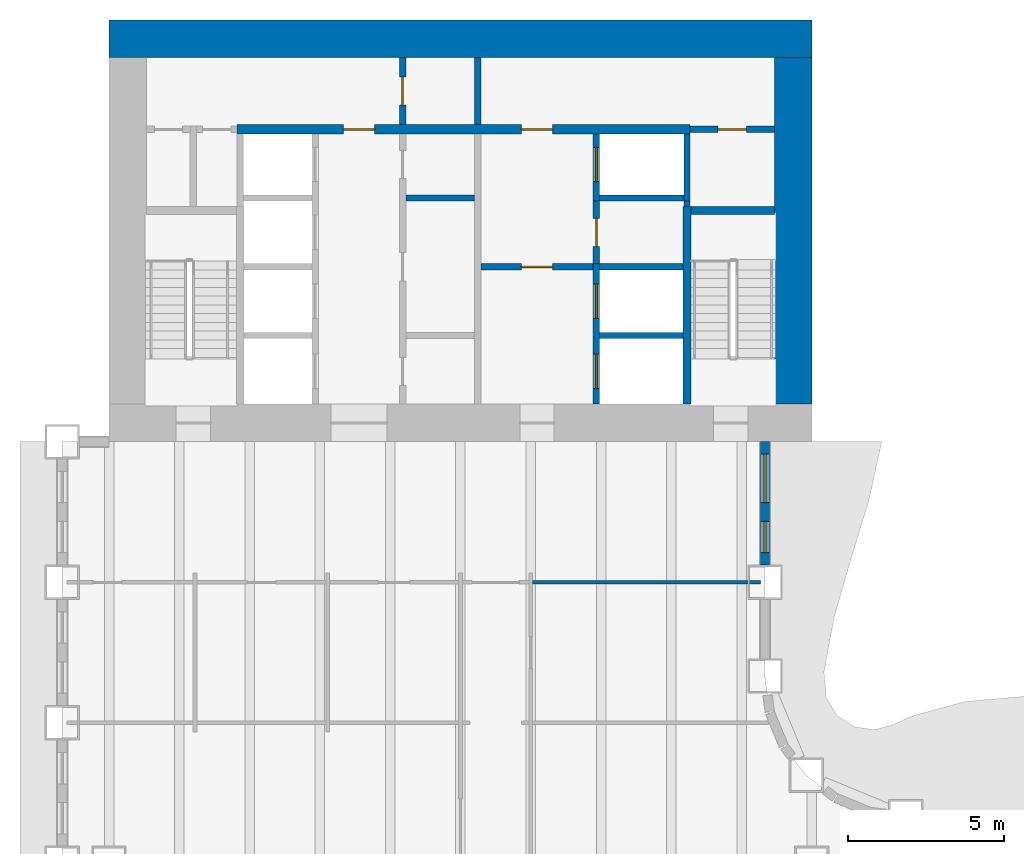
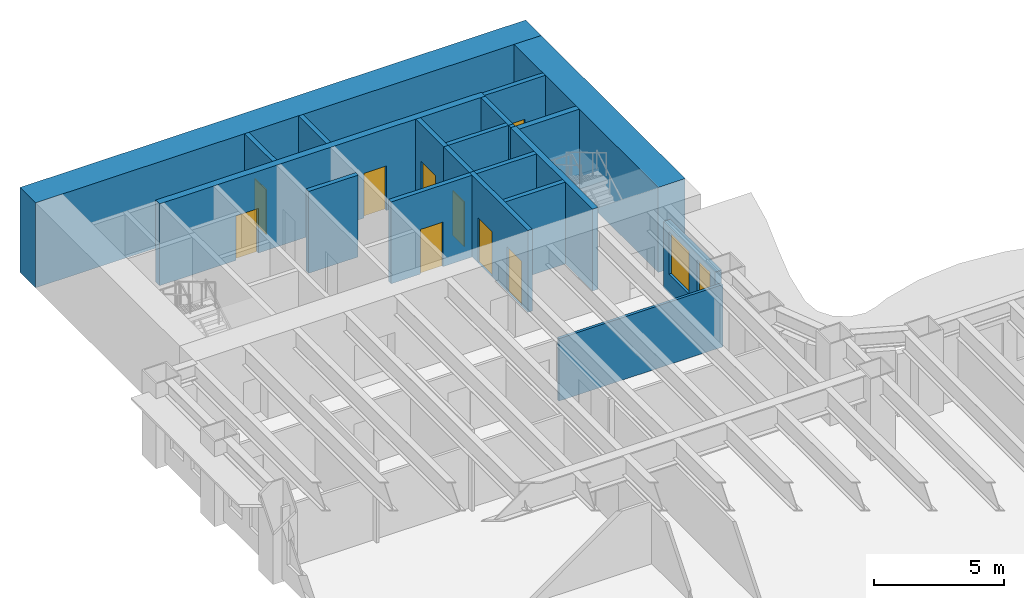
# One storey, part 9 of 17: 20 walls, 9 doors, 2 windows, 11 openings.
"""IFC4 building model written with IfcOpenShell, lengths in metres."""

from ifc_helpers import new_model, si_unit, direction, frame, frame_2d, origin, place, context, subcontext, project, spatial, rectangle, extrude, material, layer, layer_set, type_object, element, fill, save


model = new_model("IFC4")

# Units and contexts
model_context = context("Model", 3, precision=1e-05, world=origin(), true_north=direction((0.0, 1.0)))
body_context = subcontext(model_context, "Body", "Model", "MODEL_VIEW")
ifc_project = project(units=[si_unit("LENGTHUNIT", "METRE"), si_unit("AREAUNIT", "SQUARE_METRE"), si_unit("VOLUMEUNIT", "CUBIC_METRE"), si_unit("PLANEANGLEUNIT", "RADIAN"), si_unit("MASSUNIT", "GRAM", prefix="KILO")], contexts=[model_context])

# Site, building, storey
site_placement = place(None, origin())
site = spatial("IfcSite", under=ifc_project, at=site_placement, CompositionType="ELEMENT")
building_placement = place(site_placement, origin())
building = spatial("IfcBuilding", under=site, at=building_placement, Name="Sennacour Bend Tower", CompositionType="ELEMENT")
storey_placement = place(building_placement, frame((0.0, 0.0, 49.0)))
storey = spatial("IfcBuildingStorey", under=building, at=storey_placement, Name="L10", CompositionType="ELEMENT", Elevation=49.0)

# Walls
ifc_material_1 = material(Name="Concrete C80/95", Category="concrete")
ifc_layer_1 = layer(ifc_material_1, 1.199951171875, Name="Concrete C80/95", Category="concrete")
ifc_layer_set_1 = layer_set([ifc_layer_1], Name="Concrete C80/95")
wall_type_1 = type_object("IfcWallType", Name="Core wall 1200 C80/95", PredefinedType="SHEAR", material=ifc_layer_set_1)
wall_1_placement = place(storey_placement, frame((0.0, 48.89990234375, -0.14990234375), z_axis=(0.0, 0.0, 1.0), x_axis=(1.0, 0.0, 0.0)))
element("IfcWall", 1, at=wall_1_placement, inside=storey, type_object=wall_type_1, Name="Core B wall L10 N", PredefinedType="SHEAR", context=body_context, shape_type="SweptSolid", body=[
    extrude(rectangle(XDim=22.5, YDim=1.199951171875, at=frame_2d((11.25, 0.0))), origin(), (0.0, 0.0, 1.0), 4.0),
])
wall_2_placement = place(storey_placement, frame((21.89990234375, 37.199951171875, -0.14990234375), z_axis=(0.0, 0.0, 1.0), x_axis=(0.0, 1.0, 0.0)))
element("IfcWall", 2, at=wall_2_placement, inside=storey, type_object=wall_type_1, Name="Core B wall L10 E", PredefinedType="SHEAR", context=body_context, shape_type="SweptSolid", body=[
    extrude(rectangle(XDim=11.10009765625, YDim=1.199951171875, at=frame_2d((5.550048828125, 0.0))), origin(), (0.0, 0.0, 1.0), 4.0),
])
ifc_material_2 = material(Name="Plasterboard partition on steel studs", Category="steel")
ifc_layer_2 = layer(ifc_material_2, 0.1201171875, Name="Plasterboard partition on steel studs", Category="steel")
ifc_layer_set_2 = layer_set([ifc_layer_2], Name="Plasterboard partition on steel studs")
wall_type_2 = type_object("IfcWallType", Name="Partition 120", PredefinedType="PARTITIONING", material=ifc_layer_set_2)
wall_3_placement = place(storey_placement, frame((13.56005859375, 31.5, 0.0), z_axis=(0.0, 0.0, 1.0), x_axis=(1.0, 0.0, 0.0)))
element("IfcWall", 3, at=wall_3_placement, inside=storey, type_object=wall_type_2, Name="P-L10-W077ae", PredefinedType="PARTITIONING", context=body_context, shape_type="SweptSolid", body=[
    extrude(rectangle(XDim=7.2900390625, YDim=0.1201171875, at=frame_2d((3.64501953125, 0.0))), origin(), (0.0, 0.0, 1.0), 2.93798828125),
])

# Wall, opening, door
ifc_material_3 = material(Name="Fire-rated plasterboard partition on steel studs", Category="steel")
ifc_layer_3 = layer(ifc_material_3, 0.199951171875, Name="Fire-rated plasterboard partition on steel studs", Category="steel")
ifc_layer_set_3 = layer_set([ifc_layer_3], Name="Fire-rated plasterboard partition on steel studs")
wall_type_3 = type_object("IfcWallType", Name="Rated partition 200", PredefinedType="PARTITIONING", material=ifc_layer_set_3)
wall_4_placement = place(storey_placement, frame((9.39990234375, 46.14990234375, 0.0), z_axis=(0.0, 0.0, 1.0), x_axis=(0.0, 1.0, 0.0)))
wall_4 = element("IfcWall", 4, at=wall_4_placement, inside=storey, type_object=wall_type_3, Name="P-L10-W013b", PredefinedType="PARTITIONING", context=body_context, shape_type="SweptSolid", body=[
    extrude(rectangle(XDim=2.150146484375, YDim=0.199951171875, at=frame_2d((1.0751953125, 0.0))), origin(), (0.0, 0.0, 1.0), 3.85009765625),
])
opening_1_placement = place(wall_4_placement, frame((0.625, 0.0, 0.0)))
opening_1 = element("IfcOpeningElement", 5, at=opening_1_placement, cuts=wall_4, Name="Opening SV", PredefinedType="OPENING", context=body_context, shape_type="SweptSolid", body=[
    extrude(rectangle(XDim=0.89990234375, YDim=2.10009765625, at=frame_2d((0.449951171875, 1.050048828125))), frame((0.0, 0.10986328125, 0.0), z_axis=(0.0, -1.0, 0.0), x_axis=(1.0, 0.0, 0.0)), (0.0, 0.0, 1.0), 0.219970703125),
])
ifc_material_4 = material(Name="Painted steel", Category="steel")
door_type_1 = type_object("IfcDoorType", Name="DR-SERVICE-900", OperationType="NOTDEFINED", PredefinedType="DOOR", material=ifc_material_4)
door_1_placement = place(opening_1_placement, origin())
door_1 = element("IfcDoor", 6, at=door_1_placement, inside=storey, type_object=door_type_1, Name="Door", OperationType="SINGLE_SWING_LEFT", OverallHeight=2.10009765625, OverallWidth=0.89990234375, PredefinedType="DOOR", context=body_context, shape_type="SweptSolid", body=[
    extrude(rectangle(XDim=0.89990234375, YDim=2.10009765625, at=frame_2d((0.449951171875, 1.050048828125))), frame((0.0, 0.02490234375, 0.0), z_axis=(0.0, -1.0, 0.0), x_axis=(1.0, 0.0, 0.0)), (0.0, 0.0, 1.0), 0.050048828125),
])
fill(opening_1, door_1)

# Wall
wall_5_placement = place(storey_placement, frame((11.800048828125, 46.14990234375, 0.0), z_axis=(0.0, 0.0, 1.0), x_axis=(0.0, 1.0, 0.0)))
element("IfcWall", 7, at=wall_5_placement, inside=storey, type_object=wall_type_3, Name="P-L10-W015b", PredefinedType="PARTITIONING", context=body_context, shape_type="SweptSolid", body=[
    extrude(rectangle(XDim=2.150146484375, YDim=0.199951171875, at=frame_2d((1.0751953125, 0.0))), origin(), (0.0, 0.0, 1.0), 3.85009765625),
])

# Wall, opening, door
wall_6_placement = place(storey_placement, frame((15.60009765625, 41.699951171875, 0.0), z_axis=(0.0, 0.0, 1.0), x_axis=(0.0, 1.0, 0.0)))
wall_6 = element("IfcWall", 8, at=wall_6_placement, inside=storey, type_object=wall_type_3, Name="P-L10-W019", PredefinedType="PARTITIONING", context=body_context, shape_type="SweptSolid", body=[
    extrude(rectangle(XDim=2.0, YDim=0.199951171875, at=frame_2d((1.0, 0.0))), origin(), (0.0, 0.0, 1.0), 3.85009765625),
])
opening_2_placement = place(wall_6_placement, frame((0.550048828125, 0.0, 0.0)))
opening_2 = element("IfcOpeningElement", 9, at=opening_2_placement, cuts=wall_6, Name="Opening SV", PredefinedType="OPENING", context=body_context, shape_type="SweptSolid", body=[
    extrude(rectangle(XDim=0.89990234375, YDim=2.10009765625, at=frame_2d((0.449951171875, 1.050048828125))), frame((0.0, 0.10986328125, 0.0), z_axis=(0.0, -1.0, 0.0), x_axis=(1.0, 0.0, 0.0)), (0.0, 0.0, 1.0), 0.219970703125),
])
door_2_placement = place(opening_2_placement, origin())
door_2 = element("IfcDoor", 10, at=door_2_placement, inside=storey, type_object=door_type_1, Name="Door", OperationType="SINGLE_SWING_RIGHT", OverallHeight=2.10009765625, OverallWidth=0.89990234375, PredefinedType="DOOR", context=body_context, shape_type="SweptSolid", body=[
    extrude(rectangle(XDim=0.89990234375, YDim=2.10009765625, at=frame_2d((0.449951171875, 1.050048828125))), frame((0.0, 0.02490234375, 0.0), z_axis=(0.0, -1.0, 0.0), x_axis=(1.0, 0.0, 0.0)), (0.0, 0.0, 1.0), 0.050048828125),
])
fill(opening_2, door_2)

# Walls
wall_7_placement = place(storey_placement, frame((18.5, 43.52490234375, 0.0), z_axis=(0.0, 0.0, 1.0), x_axis=(0.0, 1.0, 0.0)))
element("IfcWall", 11, at=wall_7_placement, inside=storey, type_object=wall_type_3, Name="P-L10-W023", PredefinedType="PARTITIONING", context=body_context, shape_type="SweptSolid", body=[
    extrude(rectangle(XDim=0.175048828125, YDim=0.199951171875, at=frame_2d((0.08740234375, 0.0))), origin(), (0.0, 0.0, 1.0), 3.85009765625),
])
wall_8_placement = place(storey_placement, frame((9.5, 43.800048828125, 0.0), z_axis=(0.0, 0.0, 1.0), x_axis=(1.0, 0.0, 0.0)))
element("IfcWall", 12, at=wall_8_placement, inside=storey, type_object=wall_type_3, Name="P-L10-W088", PredefinedType="PARTITIONING", context=body_context, shape_type="SweptSolid", body=[
    extrude(rectangle(XDim=2.199951171875, YDim=0.199951171875, at=frame_2d((1.10009765625, 0.0))), origin(), (0.0, 0.0, 1.0), 3.85009765625),
])

# Wall, opening, door
wall_9_placement = place(storey_placement, frame((18.60009765625, 46.0, 0.0), z_axis=(0.0, 0.0, 1.0), x_axis=(1.0, 0.0, 0.0)))
wall_9 = element("IfcWall", 13, at=wall_9_placement, inside=storey, type_object=wall_type_3, Name="P-L10-W092", PredefinedType="PARTITIONING", context=body_context, shape_type="SweptSolid", body=[
    extrude(rectangle(XDim=2.699951171875, YDim=0.199951171875, at=frame_2d((1.35009765625, 0.0))), origin(), (0.0, 0.0, 1.0), 3.85009765625),
])
opening_3_placement = place(wall_9_placement, frame((0.89990234375, 0.0, 0.0)))
opening_3 = element("IfcOpeningElement", 14, at=opening_3_placement, cuts=wall_9, Name="Opening WD", PredefinedType="OPENING", context=body_context, shape_type="SweptSolid", body=[
    extrude(rectangle(XDim=0.89990234375, YDim=2.10009765625, at=frame_2d((0.449951171875, 1.050048828125))), frame((0.0, 0.10986328125, 0.0), z_axis=(0.0, -1.0, 0.0), x_axis=(1.0, 0.0, 0.0)), (0.0, 0.0, 1.0), 0.219970703125),
])
ifc_material_5 = material(Name="Timber", Category="wood")
door_type_2 = type_object("IfcDoorType", Name="DR-WC-900", OperationType="NOTDEFINED", PredefinedType="DOOR", material=ifc_material_5)
door_3_placement = place(opening_3_placement, origin())
door_3 = element("IfcDoor", 15, at=door_3_placement, inside=storey, type_object=door_type_2, Name="Door", OperationType="SINGLE_SWING_LEFT", OverallHeight=2.10009765625, OverallWidth=0.89990234375, PredefinedType="DOOR", context=body_context, shape_type="SweptSolid", body=[
    extrude(rectangle(XDim=0.89990234375, YDim=2.10009765625, at=frame_2d((0.449951171875, 1.050048828125))), frame((0.0, 0.02490234375, 0.0), z_axis=(0.0, -1.0, 0.0), x_axis=(1.0, 0.0, 0.0)), (0.0, 0.0, 1.0), 0.050048828125),
])
fill(opening_3, door_3)

ifc_layer_4 = layer(ifc_material_3, 0.199951171875, Name="Fire-rated plasterboard partition on steel studs", Category="steel")
ifc_layer_set_4 = layer_set([ifc_layer_4], Name="Fire-rated plasterboard partition on steel studs")
wall_type_4 = type_object("IfcWallType", Name="Rated partition 200 EI 90", PredefinedType="PARTITIONING", material=ifc_layer_set_4)
wall_10_placement = place(storey_placement, frame((11.89990234375, 41.60009765625, 0.0), z_axis=(0.0, 0.0, 1.0), x_axis=(1.0, 0.0, 0.0)))
wall_10 = element("IfcWall", 16, at=wall_10_placement, inside=storey, type_object=wall_type_4, Name="P-L10-W083", PredefinedType="PARTITIONING", context=body_context, shape_type="SweptSolid", body=[
    extrude(rectangle(XDim=3.60009765625, YDim=0.199951171875, at=frame_2d((1.800048828125, 0.0))), origin(), (0.0, 0.0, 1.0), 3.85009765625),
])
opening_4_placement = place(wall_10_placement, frame((1.300048828125, 0.0, 0.0)))
opening_4 = element("IfcOpeningElement", 17, at=opening_4_placement, cuts=wall_10, Name="Opening FD2", PredefinedType="OPENING", context=body_context, shape_type="SweptSolid", body=[
    extrude(rectangle(XDim=1.0, YDim=2.10009765625, at=frame_2d((0.5, 1.050048828125))), frame((0.0, 0.10986328125, 0.0), z_axis=(0.0, -1.0, 0.0), x_axis=(1.0, 0.0, 0.0)), (0.0, 0.0, 1.0), 0.219970703125),
])
door_type_3 = type_object("IfcDoorType", Name="DR-FFL-1000", OperationType="NOTDEFINED", PredefinedType="DOOR", material=ifc_material_4)
door_4_placement = place(opening_4_placement, origin())
door_4 = element("IfcDoor", 18, at=door_4_placement, inside=storey, type_object=door_type_3, Name="Door", OperationType="SINGLE_SWING_LEFT", OverallHeight=2.10009765625, OverallWidth=1.0, PredefinedType="DOOR", context=body_context, shape_type="SweptSolid", body=[
    extrude(rectangle(XDim=1.0, YDim=2.10009765625, at=frame_2d((0.5, 1.050048828125))), frame((0.0, 0.02490234375, 0.0), z_axis=(0.0, -1.0, 0.0), x_axis=(1.0, 0.0, 0.0)), (0.0, 0.0, 1.0), 0.050048828125),
])
fill(opening_4, door_4)

# Wall, openings, windows
ifc_material_6 = material(Name="Warm limestone cladding", Category="masonry")
ifc_layer_5 = layer(ifc_material_6, 0.050048828125, Name="Warm limestone cladding", Category="masonry")
ifc_material_7 = material(Name="Precast concrete C40/50", Category="concrete")
ifc_layer_6 = layer(ifc_material_7, 0.25, Name="Precast concrete C40/50", Category="concrete")
ifc_layer_set_5 = layer_set([ifc_layer_5, ifc_layer_6], Name="Precast concrete C40/50 with limestone cladding")
wall_type_5 = type_object("IfcWallType", Name="STONE-CLAD PRECAST SPANDREL 300", PredefinedType="STANDARD", material=ifc_layer_set_5)
wall_11_placement = place(storey_placement, frame((21.0, 32.050048828125, 0.0), z_axis=(0.0, 0.0, 1.0), x_axis=(0.0, 1.0, 0.0)))
wall_11 = element("IfcWall", 19, at=wall_11_placement, inside=storey, type_object=wall_type_5, Name="Stone spandrel and pier wall L10 15.01", PredefinedType="STANDARD", context=body_context, shape_type="SweptSolid", body=[
    extrude(rectangle(XDim=3.949951171875, YDim=0.300048828125, at=frame_2d((1.97509765625, 0.0))), origin(), (0.0, 0.0, 1.0), 3.14404296875),
])
opening_5_placement = place(wall_11_placement, frame((0.39990234375, 0.0, 0.89990234375)))
opening_5 = element("IfcOpeningElement", 20, at=opening_5_placement, cuts=wall_11, Name="Opening W8", PredefinedType="OPENING", context=body_context, shape_type="SweptSolid", body=[
    extrude(rectangle(XDim=1.0, YDim=2.0, at=frame_2d((0.5, 1.0))), frame((0.0, 0.16015625, 0.0), z_axis=(0.0, -1.0, 0.0), x_axis=(1.0, 0.0, 0.0)), (0.0, 0.0, 1.0), 0.320068359375),
])
opening_6_placement = place(wall_11_placement, frame((2.0, 0.0, 0.89990234375)))
opening_6 = element("IfcOpeningElement", 21, at=opening_6_placement, cuts=wall_11, Name="Opening W9", PredefinedType="OPENING", context=body_context, shape_type="SweptSolid", body=[
    extrude(rectangle(XDim=1.550048828125, YDim=2.0, at=frame_2d((0.77490234375, 1.0))), frame((0.0, 0.16015625, 0.0), z_axis=(0.0, -1.0, 0.0), x_axis=(1.0, 0.0, 0.0)), (0.0, 0.0, 1.0), 0.320068359375),
])
ifc_material_8 = material(Name="Clear low-emissivity glass", Category="glass")
window_type_1 = type_object("IfcWindowType", Name="WIN-RIBBON-1000x2000", PartitioningType="SINGLE_PANEL", PredefinedType="WINDOW", material=ifc_material_8)
window_1_placement = place(opening_5_placement, origin())
window_1 = element("IfcWindow", 22, at=window_1_placement, inside=storey, type_object=window_type_1, Name="Ribbon window L10 15.01.0", OverallHeight=2.0, OverallWidth=1.0, PartitioningType="SINGLE_PANEL", PredefinedType="WINDOW", context=body_context, shape_type="SweptSolid", body=[
    extrude(rectangle(XDim=1.0, YDim=2.0, at=frame_2d((0.5, 1.0))), frame((0.0, 0.030029296875, 0.0), z_axis=(0.0, -1.0, 0.0), x_axis=(1.0, 0.0, 0.0)), (0.0, 0.0, 1.0), 0.06005859375),
])
fill(opening_5, window_1)
window_type_2 = type_object("IfcWindowType", Name="WIN-RIBBON-1550x2000", PartitioningType="SINGLE_PANEL", PredefinedType="WINDOW", material=ifc_material_8)
window_2_placement = place(opening_6_placement, origin())
window_2 = element("IfcWindow", 23, at=window_2_placement, inside=storey, type_object=window_type_2, Name="Ribbon window L10 15.01.1", OverallHeight=2.0, OverallWidth=1.550048828125, PartitioningType="SINGLE_PANEL", PredefinedType="WINDOW", context=body_context, shape_type="SweptSolid", body=[
    extrude(rectangle(XDim=1.550048828125, YDim=2.0, at=frame_2d((0.77490234375, 1.0))), frame((0.0, 0.030029296875, 0.0), z_axis=(0.0, -1.0, 0.0), x_axis=(1.0, 0.0, 0.0)), (0.0, 0.0, 1.0), 0.06005859375),
])
fill(opening_6, window_2)

# Wall, openings, doors
ifc_material_9 = material(Name="Concrete C50/60", Category="concrete")
ifc_layer_7 = layer(ifc_material_9, 0.199951171875, Name="Concrete C50/60", Category="concrete")
ifc_layer_set_6 = layer_set([ifc_layer_7], Name="Concrete C50/60")
wall_type_6 = type_object("IfcWallType", Name="Shaft wall 200", PredefinedType="SOLIDWALL", material=ifc_layer_set_6)
wall_12_placement = place(storey_placement, frame((15.60009765625, 37.199951171875, 0.0), z_axis=(0.0, 0.0, 1.0), x_axis=(0.0, 1.0, 0.0)))
wall_12 = element("IfcWall", 24, at=wall_12_placement, inside=storey, type_object=wall_type_6, Name="P-L10-W018", PredefinedType="SOLIDWALL", context=body_context, shape_type="SweptSolid", body=[
    extrude(rectangle(XDim=4.5, YDim=0.199951171875, at=frame_2d((2.25, 0.0))), origin(), (0.0, 0.0, 1.0), 3.85009765625),
])
opening_7_placement = place(wall_12_placement, frame((0.5, 0.0, 0.011962890625)))
opening_7 = element("IfcOpeningElement", 25, at=opening_7_placement, cuts=wall_12, Name="Opening FLD", PredefinedType="OPENING", context=body_context, shape_type="SweptSolid", body=[
    extrude(rectangle(XDim=1.10009765625, YDim=2.10009765625, at=frame_2d((0.550048828125, 1.050048828125))), frame((0.0, 0.10986328125, 0.0), z_axis=(0.0, -1.0, 0.0), x_axis=(1.0, 0.0, 0.0)), (0.0, 0.0, 1.0), 0.219970703125),
])
opening_8_placement = place(wall_12_placement, frame((2.75, 0.0, 0.011962890625)))
opening_8 = element("IfcOpeningElement", 26, at=opening_8_placement, cuts=wall_12, Name="Opening FLD", PredefinedType="OPENING", context=body_context, shape_type="SweptSolid", body=[
    extrude(rectangle(XDim=1.10009765625, YDim=2.10009765625, at=frame_2d((0.550048828125, 1.050048828125))), frame((0.0, 0.10986328125, 0.0), z_axis=(0.0, -1.0, 0.0), x_axis=(1.0, 0.0, 0.0)), (0.0, 0.0, 1.0), 0.219970703125),
])
ifc_material_10 = material(Name="Stainless steel", Category="steel")
door_type_4 = type_object("IfcDoorType", Name="DR-FF-LANDING-1100", OperationType="NOTDEFINED", PredefinedType="DOOR", material=ifc_material_10)
door_5_placement = place(opening_7_placement, origin())
door_5 = element("IfcDoor", 27, at=door_5_placement, inside=storey, type_object=door_type_4, Name="Fire service lift landing door FB1", OperationType="SLIDING_TO_LEFT", OverallHeight=2.10009765625, OverallWidth=1.10009765625, PredefinedType="DOOR", context=body_context, shape_type="SweptSolid", body=[
    extrude(rectangle(XDim=1.10009765625, YDim=2.10009765625, at=frame_2d((0.550048828125, 1.050048828125))), frame((0.0, 0.02490234375, 0.0), z_axis=(0.0, -1.0, 0.0), x_axis=(1.0, 0.0, 0.0)), (0.0, 0.0, 1.0), 0.050048828125),
])
fill(opening_7, door_5)
door_6_placement = place(opening_8_placement, origin())
door_6 = element("IfcDoor", 28, at=door_6_placement, inside=storey, type_object=door_type_4, Name="Fire service lift landing door FB2", OperationType="SLIDING_TO_RIGHT", OverallHeight=2.10009765625, OverallWidth=1.10009765625, PredefinedType="DOOR", context=body_context, shape_type="SweptSolid", body=[
    extrude(rectangle(XDim=1.10009765625, YDim=2.10009765625, at=frame_2d((0.550048828125, 1.050048828125))), frame((0.0, 0.02490234375, 0.0), z_axis=(0.0, -1.0, 0.0), x_axis=(1.0, 0.0, 0.0)), (0.0, 0.0, 1.0), 0.050048828125),
])
fill(opening_8, door_6)

# Wall, opening, door
wall_13_placement = place(storey_placement, frame((15.60009765625, 43.699951171875, 0.0), z_axis=(0.0, 0.0, 1.0), x_axis=(0.0, 1.0, 0.0)))
wall_13 = element("IfcWall", 29, at=wall_13_placement, inside=storey, type_object=wall_type_6, Name="P-L10-W020", PredefinedType="SOLIDWALL", context=body_context, shape_type="SweptSolid", body=[
    extrude(rectangle(XDim=2.150146484375, YDim=0.199951171875, at=frame_2d((1.0751953125, 0.0))), origin(), (0.0, 0.0, 1.0), 3.85009765625),
])
opening_9_placement = place(wall_13_placement, frame((0.625, 0.0, 0.011962890625)))
opening_9 = element("IfcOpeningElement", 30, at=opening_9_placement, cuts=wall_13, Name="Opening LD", PredefinedType="OPENING", context=body_context, shape_type="SweptSolid", body=[
    extrude(rectangle(XDim=1.10009765625, YDim=2.10009765625, at=frame_2d((0.550048828125, 1.050048828125))), frame((0.0, 0.10986328125, 0.0), z_axis=(0.0, -1.0, 0.0), x_axis=(1.0, 0.0, 0.0)), (0.0, 0.0, 1.0), 0.219970703125),
])
door_type_5 = type_object("IfcDoorType", Name="DR-LANDING-1100", OperationType="NOTDEFINED", PredefinedType="DOOR", material=ifc_material_10)
door_7_placement = place(opening_9_placement, origin())
door_7 = element("IfcDoor", 31, at=door_7_placement, inside=storey, type_object=door_type_5, Name="Lift landing door LB5", OperationType="SLIDING_TO_LEFT", OverallHeight=2.10009765625, OverallWidth=1.10009765625, PredefinedType="DOOR", context=body_context, shape_type="SweptSolid", body=[
    extrude(rectangle(XDim=1.10009765625, YDim=2.10009765625, at=frame_2d((0.550048828125, 1.050048828125))), frame((0.0, 0.02490234375, 0.0), z_axis=(0.0, -1.0, 0.0), x_axis=(1.0, 0.0, 0.0)), (0.0, 0.0, 1.0), 0.050048828125),
])
fill(opening_9, door_7)

# Walls
wall_14_placement = place(storey_placement, frame((18.5, 43.699951171875, 0.0), z_axis=(0.0, 0.0, 1.0), x_axis=(0.0, 1.0, 0.0)))
element("IfcWall", 32, at=wall_14_placement, inside=storey, type_object=wall_type_6, Name="P-L10-W024", PredefinedType="SOLIDWALL", context=body_context, shape_type="SweptSolid", body=[
    extrude(rectangle(XDim=2.150146484375, YDim=0.199951171875, at=frame_2d((1.0751953125, 0.0))), origin(), (0.0, 0.0, 1.0), 3.85009765625),
])
for number, where, z_axis, x_axis, name in (
    (33, (15.699951171875, 39.39990234375, 0.0), (0.0, 0.0, 1.0), (1.0, 0.0, 0.0), "P-L10-W081"),
    (34, (15.699951171875, 41.60009765625, 0.0), (0.0, 0.0, 1.0), (1.0, 0.0, 0.0), "P-L10-W084"),
):
    element("IfcWall", number, at=place(storey_placement, frame(where, z_axis=z_axis, x_axis=x_axis)), inside=storey, type_object=wall_type_6, Name=name, PredefinedType="SOLIDWALL", context=body_context, shape_type="SweptSolid", body=[
        extrude(rectangle(XDim=2.675048828125, YDim=0.199951171875, at=frame_2d((1.33740234375, 0.0))), origin(), (0.0, 0.0, 1.0), 3.85009765625),
    ])
wall_15_placement = place(storey_placement, frame((15.699951171875, 43.800048828125, 0.0), z_axis=(0.0, 0.0, 1.0), x_axis=(1.0, 0.0, 0.0)))
element("IfcWall", 35, at=wall_15_placement, inside=storey, type_object=wall_type_6, Name="P-L10-W089", PredefinedType="SOLIDWALL", context=body_context, shape_type="SweptSolid", body=[
    extrude(rectangle(XDim=2.699951171875, YDim=0.199951171875, at=frame_2d((1.35009765625, 0.0))), origin(), (0.0, 0.0, 1.0), 3.85009765625),
])

# Wall, openings, doors
ifc_material_11 = material(Name="Concrete C60/75", Category="concrete")
ifc_layer_8 = layer(ifc_material_11, 0.300048828125, Name="Concrete C60/75", Category="concrete")
ifc_layer_set_7 = layer_set([ifc_layer_8], Name="Concrete C60/75")
wall_type_7 = type_object("IfcWallType", Name="Spine wall 300", PredefinedType="SHEAR", material=ifc_layer_set_7)
wall_16_placement = place(storey_placement, frame((4.10009765625, 46.0, 0.0), z_axis=(0.0, 0.0, 1.0), x_axis=(1.0, 0.0, 0.0)))
wall_16 = element("IfcWall", 36, at=wall_16_placement, inside=storey, type_object=wall_type_7, Name="P-L10-W091", PredefinedType="SHEAR", context=body_context, shape_type="SweptSolid", body=[
    extrude(rectangle(XDim=14.5, YDim=0.300048828125, at=frame_2d((7.25, 0.0))), origin(), (0.0, 0.0, 1.0), 3.85009765625),
])
opening_10_placement = place(wall_16_placement, frame((3.39990234375, 0.0, 0.0)))
opening_10 = element("IfcOpeningElement", 37, at=opening_10_placement, cuts=wall_16, Name="Opening CD2", PredefinedType="OPENING", context=body_context, shape_type="SweptSolid", body=[
    extrude(rectangle(XDim=1.0, YDim=2.10009765625, at=frame_2d((0.5, 1.050048828125))), frame((0.0, 0.16015625, 0.0), z_axis=(0.0, -1.0, 0.0), x_axis=(1.0, 0.0, 0.0)), (0.0, 0.0, 1.0), 0.320068359375),
])
opening_11_placement = place(wall_16_placement, frame((9.099853515625, 0.0, 0.0)))
opening_11 = element("IfcOpeningElement", 38, at=opening_11_placement, cuts=wall_16, Name="Opening CD2", PredefinedType="OPENING", context=body_context, shape_type="SweptSolid", body=[
    extrude(rectangle(XDim=1.0, YDim=2.10009765625, at=frame_2d((0.5, 1.050048828125))), frame((0.0, 0.16015625, 0.0), z_axis=(0.0, -1.0, 0.0), x_axis=(1.0, 0.0, 0.0)), (0.0, 0.0, 1.0), 0.320068359375),
])
door_type_6 = type_object("IfcDoorType", Name="DR-LOBBY-1000", OperationType="NOTDEFINED", PredefinedType="DOOR", material=ifc_material_4)
door_8_placement = place(opening_10_placement, origin())
door_8 = element("IfcDoor", 39, at=door_8_placement, inside=storey, type_object=door_type_6, Name="Door", OperationType="SINGLE_SWING_LEFT", OverallHeight=2.10009765625, OverallWidth=1.0, PredefinedType="DOOR", context=body_context, shape_type="SweptSolid", body=[
    extrude(rectangle(XDim=1.0, YDim=2.10009765625, at=frame_2d((0.5, 1.050048828125))), frame((0.0, 0.02490234375, 0.0), z_axis=(0.0, -1.0, 0.0), x_axis=(1.0, 0.0, 0.0)), (0.0, 0.0, 1.0), 0.050048828125),
])
fill(opening_10, door_8)
door_9_placement = place(opening_11_placement, origin())
door_9 = element("IfcDoor", 40, at=door_9_placement, inside=storey, type_object=door_type_6, Name="Door", OperationType="SINGLE_SWING_RIGHT", OverallHeight=2.10009765625, OverallWidth=1.0, PredefinedType="DOOR", context=body_context, shape_type="SweptSolid", body=[
    extrude(rectangle(XDim=1.0, YDim=2.10009765625, at=frame_2d((0.5, 1.050048828125))), frame((0.0, 0.02490234375, 0.0), z_axis=(0.0, -1.0, 0.0), x_axis=(1.0, 0.0, 0.0)), (0.0, 0.0, 1.0), 0.050048828125),
])
fill(opening_11, door_9)

# Walls
ifc_layer_9 = layer(ifc_material_11, 0.25, Name="Concrete C60/75", Category="concrete")
ifc_layer_set_8 = layer_set([ifc_layer_9], Name="Concrete C60/75")
wall_type_8 = type_object("IfcWallType", Name="Stair wall 250", PredefinedType="SHEAR", material=ifc_layer_set_8)
wall_17_placement = place(storey_placement, frame((18.5, 37.199951171875, 0.0), z_axis=(0.0, 0.0, 1.0), x_axis=(0.0, 1.0, 0.0)))
element("IfcWall", 41, at=wall_17_placement, inside=storey, type_object=wall_type_8, Name="P-L10-W022", PredefinedType="SHEAR", context=body_context, shape_type="SweptSolid", body=[
    extrude(rectangle(XDim=6.324951171875, YDim=0.25, at=frame_2d((3.16259765625, 0.0))), origin(), (0.0, 0.0, 1.0), 3.85009765625),
])
wall_18_placement = place(storey_placement, frame((18.625, 43.39990234375, 0.0), z_axis=(0.0, 0.0, 1.0), x_axis=(1.0, 0.0, 0.0)))
element("IfcWall", 42, at=wall_18_placement, inside=storey, type_object=wall_type_8, Name="P-L10-W086", PredefinedType="SHEAR", context=body_context, shape_type="SweptSolid", body=[
    extrude(rectangle(XDim=2.675048828125, YDim=0.25, at=frame_2d((1.33740234375, 0.0))), origin(), (0.0, 0.0, 1.0), 3.85009765625),
])

save(model, "model.ifc")
